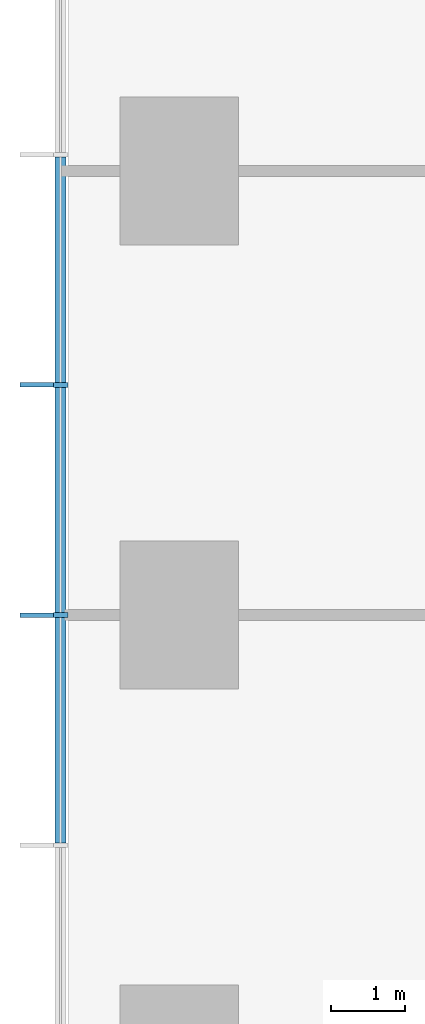
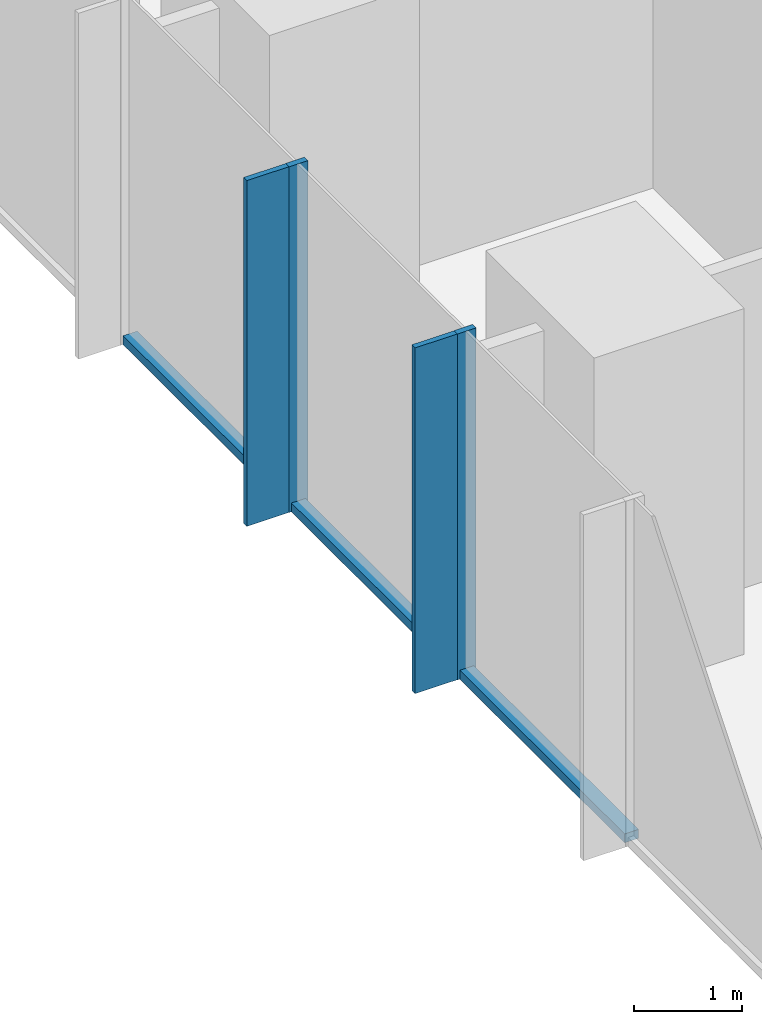
# One storey, part 3 of 12: 7 members, 1 element without a shape of its own.
"""IFC4 building model written with IfcOpenShell, lengths in metres."""

import ifcopenshell
import ifcopenshell.guid

model = None  # the IFC model being written
_history = None  # IfcOwnerHistory: only IFC2X3 demands one
_inside = {}  # id of a spatial element -> (the spatial element, [elements in it])
_under = {}  # id of a project, library or spatial element -> (it, [spatial elements below it])
_declared = {}  # id of a project -> (the project, [libraries it declares])
_typed = {}  # id of a type object -> (the type object, [elements of that type])
_made_of = {}  # id of a material, layer set ... -> (it, [elements and type objects made of it])


def new_model(schema):
    """Start an empty IFC model of exactly this schema.

    Asked for "IFC4X3", IfcOpenShell would pick the latest addendum, in which some entities
    have other attributes; the version numbers below select the first issue.
    IFC2X3 requires an IfcOwnerHistory on every rooted entity: one is made here for all.
    """
    global model, _history
    if schema == "IFC4X3":
        model = ifcopenshell.file(schema_version=(4, 3, 0, 0))
    else:
        model = ifcopenshell.file(schema=schema)
    _inside.clear()
    _under.clear()
    _declared.clear()
    _typed.clear()
    _made_of.clear()
    _history = None
    if model.schema == "IFC2X3":
        org = make("IfcOrganization", Name="unknown")
        user = make(
            "IfcPersonAndOrganization",
            ThePerson=make("IfcPerson", FamilyName="unknown"),
            TheOrganization=org,
        )
        app = make(
            "IfcApplication",
            ApplicationDeveloper=org,
            Version="unknown",
            ApplicationFullName="unknown",
            ApplicationIdentifier="unknown",
        )
        _history = make(
            "IfcOwnerHistory",
            OwningUser=user,
            OwningApplication=app,
            ChangeAction="ADDED",
            CreationDate=0,
        )
    return model


def make(cls, **values):
    """One entity of the class cls with the attributes given. An attribute that is None is left unset."""
    return model.create_entity(
        cls, **{name: value for name, value in values.items() if value is not None}
    )


def rooted(cls, **values):
    """An entity with a GlobalId (a new one), such as an element, a storey or a relation."""
    return make(cls, GlobalId=ifcopenshell.guid.new(), OwnerHistory=_history, **values)


def si_unit(unit_type, name, prefix=None):
    """IfcSIUnit, for example si_unit("LENGTHUNIT", "METRE", prefix="MILLI")."""
    return make("IfcSIUnit", UnitType=unit_type, Prefix=prefix, Name=name)


def assignment(units):
    """IfcUnitAssignment: the units of a project."""
    return None if units is None else make("IfcUnitAssignment", Units=units)


def point(xyz):
    """IfcCartesianPoint."""
    return None if xyz is None else make("IfcCartesianPoint", Coordinates=xyz)


def direction(xyz):
    """IfcDirection."""
    return None if xyz is None else make("IfcDirection", DirectionRatios=xyz)


def frame(location, z_axis=None, x_axis=None):
    """IfcAxis2Placement3D, a coordinate frame: its origin and axes. An axis left out is left unset."""
    return make(
        "IfcAxis2Placement3D",
        Location=point(location),
        Axis=direction(z_axis),
        RefDirection=direction(x_axis),
    )


def frame_2d(location, x_axis=None):
    """IfcAxis2Placement2D, a coordinate frame in the plane: its origin and x axis."""
    return make(
        "IfcAxis2Placement2D", Location=point(location), RefDirection=direction(x_axis)
    )


def origin():
    """The frame at (0, 0, 0) with its axes left unset."""
    return frame((0.0, 0.0, 0.0))


def origin_2d():
    """The frame at (0, 0) in the plane with its x axis left unset."""
    return frame_2d((0.0, 0.0))


def place(relative_to, where):
    """IfcLocalPlacement: puts the frame where relative to a parent placement (None: the world)."""
    return make(
        "IfcLocalPlacement", PlacementRelTo=relative_to, RelativePlacement=where
    )


def context(
    kind, dimensions, precision=None, world=None, true_north=None, identifier=None
):
    """IfcGeometricRepresentationContext, for example the 3D "Model" context."""
    return make(
        "IfcGeometricRepresentationContext",
        ContextIdentifier=identifier,
        ContextType=kind,
        CoordinateSpaceDimension=dimensions,
        Precision=precision,
        WorldCoordinateSystem=world,
        TrueNorth=true_north,
    )


def subcontext(parent, identifier, kind, view, scale=None):
    """IfcGeometricRepresentationSubContext, for example "Body" below "Model"."""
    return make(
        "IfcGeometricRepresentationSubContext",
        ContextIdentifier=identifier,
        ContextType=kind,
        ParentContext=parent,
        TargetScale=scale,
        TargetView=view,
    )


def project(units=None, contexts=None):
    """IfcProject with its units and contexts."""
    return rooted(
        "IfcProject",
        Name="project",
        RepresentationContexts=contexts,
        UnitsInContext=assignment(units),
    )


def spatial(cls, under=None, at=None, **own):
    """A site, building, storey or space (cls), placed at a placement, below another one or the project."""
    s = rooted(cls, ObjectPlacement=at, **own)
    if under is not None:
        _under.setdefault(under.id(), (under, []))[1].append(s)
    return s


def profile(cls, at=None, kind="AREA", **sizes):
    """A parametric profile (cls). Its sizes go by their IFC names, for example OverallWidth=200.0."""
    return make(cls, ProfileType=kind, Position=at, **sizes)


def rectangle(**sizes):
    """IfcRectangleProfileDef."""
    return profile("IfcRectangleProfileDef", **sizes)


def extrude(swept, where, along, depth):
    """IfcExtrudedAreaSolid: the profile swept, set in the frame where, extruded along a direction by depth."""
    return make(
        "IfcExtrudedAreaSolid",
        SweptArea=swept,
        Position=where,
        ExtrudedDirection=direction(along),
        Depth=depth,
    )


def shape(context_of_items, identifier, shape_type, items):
    """IfcShapeRepresentation: the items that make up one representation, for example the "Body"."""
    return make(
        "IfcShapeRepresentation",
        ContextOfItems=context_of_items,
        RepresentationIdentifier=identifier,
        RepresentationType=shape_type,
        Items=items,
    )


def material(Name=None, Category=None):
    """IfcMaterial."""
    return make("IfcMaterial", Name=Name, Category=Category)


def layer(
    of_material, thickness, ventilated=None, Name=None, Category=None, Priority=None
):
    """IfcMaterialLayer: one layer of a wall or slab, of a material (None: an air gap)."""
    return make(
        "IfcMaterialLayer",
        Material=of_material,
        LayerThickness=thickness,
        IsVentilated=ventilated,
        Name=Name,
        Category=Category,
        Priority=Priority,
    )


def layer_set(layers, Name=None):
    """IfcMaterialLayerSet."""
    return make("IfcMaterialLayerSet", MaterialLayers=layers, LayerSetName=Name)


def material_profile(
    of_material, cross_section, Name=None, Category=None, Priority=None
):
    """IfcMaterialProfile: a cross section and its material."""
    return make(
        "IfcMaterialProfile",
        Name=Name,
        Material=of_material,
        Profile=cross_section,
        Priority=Priority,
        Category=Category,
    )


def profile_set(profiles, Name=None, composite=None):
    """IfcMaterialProfileSet."""
    return make(
        "IfcMaterialProfileSet",
        Name=Name,
        MaterialProfiles=profiles,
        CompositeProfile=composite,
    )


def made_of(thing, what):
    """Note that an element or type object is made of a material, layer set ...; save() writes the relation."""
    if what is not None:
        _made_of.setdefault(what.id(), (what, []))[1].append(thing)
    return thing


def type_object(cls, material=None, **own):
    """A type object (cls), such as IfcWallType, which elements share."""
    return made_of(rooted(cls, **own), material)


def element(
    cls,
    number,
    at=None,
    inside=None,
    cuts=None,
    type_object=None,
    material=None,
    context=None,
    identifier="Body",
    shape_type=None,
    held_by="IfcProductDefinitionShape",
    body=None,
    shapes=None,
    **own,
):
    """One element of the class cls, such as IfcWall. Its Tag is "e" and its number.

    at: its placement. inside: the storey or other place that contains it. cuts: it is an
    opening in that element (IfcRelVoidsElement). A single representation is given by context,
    identifier, shape_type and body (its items); several are given by shapes. held_by: the class
    of the entity that holds the representations. save() writes the other relations.
    """
    e = rooted(cls, Tag="e%d" % number, ObjectPlacement=at, **own)
    if body is not None:
        shapes = [shape(context, identifier, shape_type, body)]
    if shapes is not None:
        e.Representation = make(held_by, Representations=shapes)
    if inside is not None:
        _inside.setdefault(inside.id(), (inside, []))[1].append(e)
    if cuts is not None:
        rooted(
            "IfcRelVoidsElement", RelatingBuildingElement=cuts, RelatedOpeningElement=e
        )
    if type_object is not None:
        _typed.setdefault(type_object.id(), (type_object, []))[1].append(e)
    return made_of(e, material)


def aggregate(whole, parts):
    """IfcRelAggregates: a whole, such as a stair, and the parts it consists of."""
    return rooted("IfcRelAggregates", RelatingObject=whole, RelatedObjects=parts)


def save(model, path):
    """Write the relations noted so far, then the file.

    IfcRelAggregates (storeys below a building ...), IfcRelContainedInSpatialStructure (elements
    in a storey), IfcRelDefinesByType, IfcRelAssociatesMaterial and IfcRelDeclares: one each for
    every whole, place, type object, material and project.
    """
    for whole, parts in _under.values():
        aggregate(whole, parts)
    for where, things in _inside.values():
        rooted(
            "IfcRelContainedInSpatialStructure",
            RelatedElements=things,
            RelatingStructure=where,
        )
    for kind, things in _typed.values():
        rooted("IfcRelDefinesByType", RelatedObjects=things, RelatingType=kind)
    for what, things in _made_of.values():
        rooted("IfcRelAssociatesMaterial", RelatedObjects=things, RelatingMaterial=what)
    for by, libraries in _declared.values():
        rooted("IfcRelDeclares", RelatingContext=by, RelatedDefinitions=libraries)
    model.write(path)


model = new_model("IFC4")

# Units and contexts
model_context = context("Model", 3, precision=1e-05, world=origin(), true_north=direction((0.0, 1.0)))
body_context = subcontext(model_context, "Body", "Model", "MODEL_VIEW")
ifc_project = project(units=[si_unit("LENGTHUNIT", "METRE"), si_unit("AREAUNIT", "SQUARE_METRE"), si_unit("VOLUMEUNIT", "CUBIC_METRE"), si_unit("PLANEANGLEUNIT", "RADIAN"), si_unit("MASSUNIT", "GRAM", prefix="KILO")], contexts=[model_context])

# Site, building, storey
site_placement = place(None, origin())
site = spatial("IfcSite", under=ifc_project, at=site_placement, CompositionType="ELEMENT")
building_placement = place(site_placement, origin())
building = spatial("IfcBuilding", under=site, at=building_placement, Name="Highveld Stack Headquarters", CompositionType="ELEMENT")
storey_placement = place(building_placement, frame((0.0, 0.0, 22.10009765625)))
storey = spatial("IfcBuildingStorey", under=building, at=storey_placement, Name="L04", CompositionType="ELEMENT", Elevation=22.10009765625)

# Curtain wall, members
ifc_material_1 = material(Name="Aluminium bronze anodised", Category="aluminium")
ifc_layer = layer(ifc_material_1, 0.199951171875)
ifc_layer_set = layer_set([ifc_layer], Name="Aluminium bronze anodised")
curtain_wall_type = type_object("IfcCurtainWallType", Name="CW1 TOWER UNITISED CURTAIN WALL", PredefinedType="NOTDEFINED", material=ifc_layer_set)
curtain_wall_placement = place(storey_placement, origin())
curtain_wall = element("IfcCurtainWall", 1, at=curtain_wall_placement, inside=storey, type_object=curtain_wall_type, Name="Curtain wall CW1 L04 W", PredefinedType="NOTDEFINED")
ifc_material_2 = material(Name="Aluminium bronze anodised", Category="aluminium")
ifc_material_profile_1 = material_profile(ifc_material_2, rectangle(XDim=0.449951171875, YDim=0.06005859375, at=origin_2d()), Name="FIN 450x60")
ifc_profile_set_1 = profile_set([ifc_material_profile_1], Name="Aluminium bronze anodised")
member_type_1 = type_object("IfcMemberType", Name="CW1 BRONZE FIN 450x60", PredefinedType="USERDEFINED", material=ifc_profile_set_1)
member_1_placement = place(storey_placement, frame((-25.925048828125, 3.110595703125, 0.0), z_axis=(0.0, 0.0, 1.0), x_axis=(1.0, 0.0, 0.0)))
member_1 = element("IfcMember", 2, at=member_1_placement, type_object=member_type_1, Name="CW1 fin L04 6", ObjectType="FIN", PredefinedType="USERDEFINED", context=body_context, shape_type="SweptSolid", body=[
    extrude(rectangle(XDim=0.449951171875, YDim=0.06005859375, at=origin_2d()), origin(), (0.0, 0.0, 1.0), 3.89990234375),
])
member_2_placement = place(storey_placement, frame((-25.925048828125, 0.0, 0.0), z_axis=(0.0, 0.0, 1.0), x_axis=(1.0, 0.0, 0.0)))
member_2 = element("IfcMember", 3, at=member_2_placement, type_object=member_type_1, Name="CW1 fin L04 7", ObjectType="FIN", PredefinedType="USERDEFINED", context=body_context, shape_type="SweptSolid", body=[
    extrude(rectangle(XDim=0.449951171875, YDim=0.06005859375, at=origin_2d()), origin(), (0.0, 0.0, 1.0), 3.89990234375),
])
ifc_material_3 = material(Name="Aluminium bronze anodised", Category="aluminium")
ifc_material_profile_2 = material_profile(ifc_material_3, rectangle(XDim=0.199951171875, YDim=0.06494140625, at=origin_2d()), Name="CW1 MULLION 65x200")
ifc_profile_set_2 = profile_set([ifc_material_profile_2], Name="Aluminium bronze anodised")
member_type_2 = type_object("IfcMemberType", Name="CW1 MULLION 65x200", PredefinedType="MULLION", material=ifc_profile_set_2)
member_3_placement = place(storey_placement, frame((-25.60009765625, 3.110595703125, 0.0), z_axis=(0.0, 0.0, 1.0), x_axis=(1.0, 0.0, 0.0)))
member_3 = element("IfcMember", 4, at=member_3_placement, type_object=member_type_2, Name="CW1 mullion L04 6", PredefinedType="MULLION", context=body_context, shape_type="SweptSolid", body=[
    extrude(rectangle(XDim=0.199951171875, YDim=0.06494140625, at=origin_2d()), origin(), (0.0, 0.0, 1.0), 3.89990234375),
])
member_4_placement = place(storey_placement, frame((-25.60009765625, 0.0, 0.0), z_axis=(0.0, 0.0, 1.0), x_axis=(1.0, 0.0, 0.0)))
member_4 = element("IfcMember", 5, at=member_4_placement, type_object=member_type_2, Name="CW1 mullion L04 7", PredefinedType="MULLION", context=body_context, shape_type="SweptSolid", body=[
    extrude(rectangle(XDim=0.199951171875, YDim=0.06494140625, at=origin_2d()), origin(), (0.0, 0.0, 1.0), 3.89990234375),
])
ifc_material_4 = material(Name="Aluminium bronze anodised", Category="aluminium")
ifc_material_profile_3 = material_profile(ifc_material_4, rectangle(XDim=0.14990234375, YDim=0.10009765625, at=origin_2d()), Name="CW1 TRANSOM 150x100")
ifc_profile_set_3 = profile_set([ifc_material_profile_3], Name="Aluminium bronze anodised")
member_type_3 = type_object("IfcMemberType", Name="CW1 STACK TRANSOM 150x100", PredefinedType="USERDEFINED", material=ifc_profile_set_3)
member_5_placement = place(storey_placement, frame((-25.60009765625, 6.1884765625, 0.0498046875), z_axis=(0.0, -1.0, 0.0), x_axis=(1.0, 0.0, 0.0)))
member_5 = element("IfcMember", 6, at=member_5_placement, type_object=member_type_3, Name="CW1 transom L04 5.1", ObjectType="TRANSOM", PredefinedType="USERDEFINED", context=body_context, shape_type="SweptSolid", body=[
    extrude(rectangle(XDim=0.14990234375, YDim=0.10009765625, at=origin_2d()), origin(), (0.0, 0.0, 1.0), 3.04541015625),
])
member_6_placement = place(storey_placement, frame((-25.60009765625, 3.077880859375, 0.0498046875), z_axis=(0.0, -1.0, 0.0), x_axis=(1.0, 0.0, 0.0)))
member_6 = element("IfcMember", 7, at=member_6_placement, type_object=member_type_3, Name="CW1 transom L04 6.1", ObjectType="TRANSOM", PredefinedType="USERDEFINED", context=body_context, shape_type="SweptSolid", body=[
    extrude(rectangle(XDim=0.14990234375, YDim=0.10009765625, at=origin_2d()), origin(), (0.0, 0.0, 1.0), 3.04541015625),
])
member_7_placement = place(storey_placement, frame((-25.60009765625, -0.032470703125, 0.0498046875), z_axis=(0.0, -1.0, 0.0), x_axis=(1.0, 0.0, 0.0)))
member_7 = element("IfcMember", 8, at=member_7_placement, type_object=member_type_3, Name="CW1 transom L04 7.1", ObjectType="TRANSOM", PredefinedType="USERDEFINED", context=body_context, shape_type="SweptSolid", body=[
    extrude(rectangle(XDim=0.14990234375, YDim=0.10009765625, at=origin_2d()), origin(), (0.0, 0.0, 1.0), 3.04541015625),
])
aggregate(curtain_wall, [member_3, member_1, member_4, member_2, member_5, member_6, member_7])

save(model, "model.ifc")
